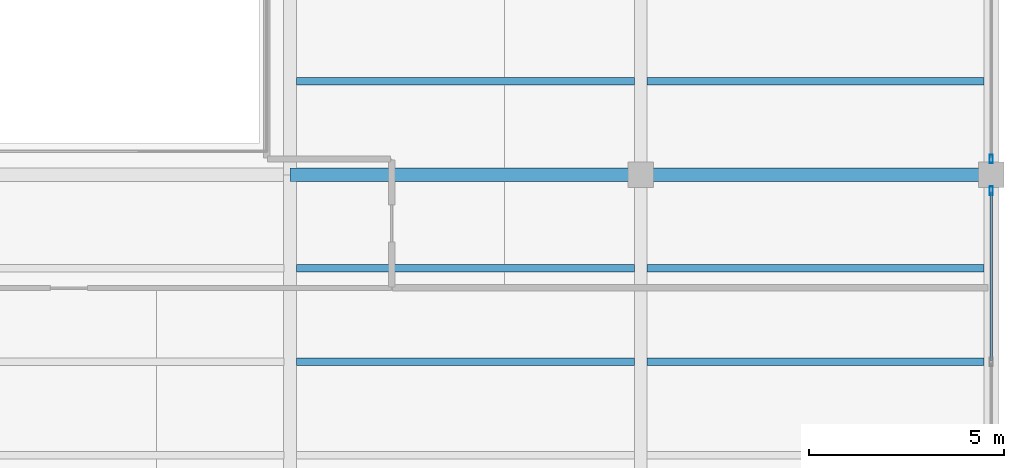
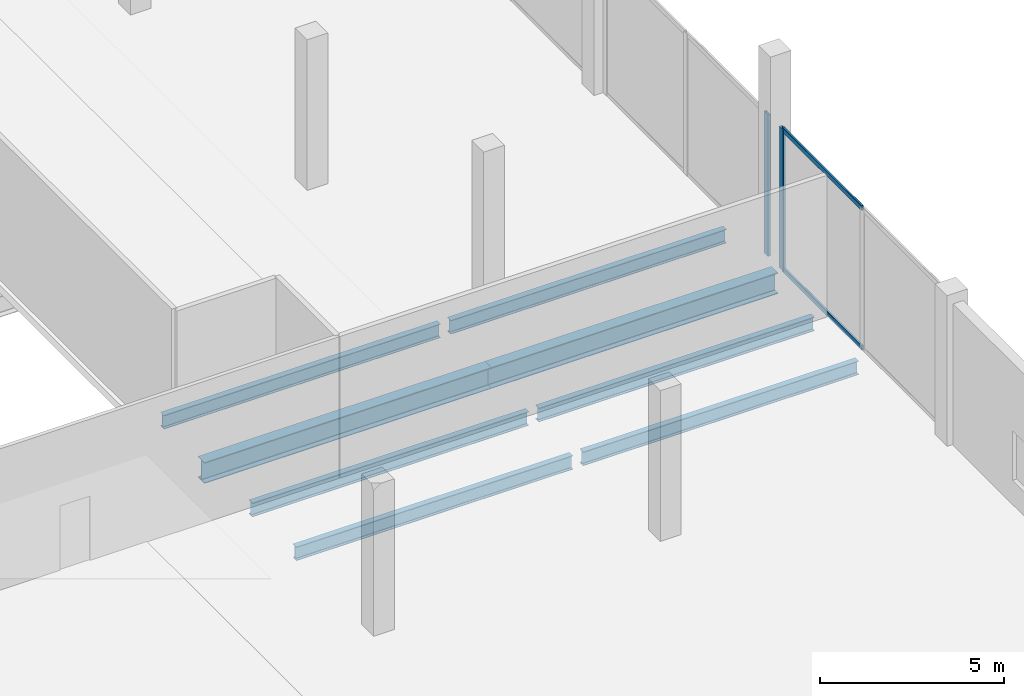
# One storey, part 16 of 43: 8 beams, 4 members, 2 elements without a shape of their own.
"""IFC4 building model written with IfcOpenShell, lengths in metres."""

from ifc_helpers import new_model, si_unit, direction, frame, origin, origin_2d, place, context, subcontext, project, spatial, hollow_rectangle, i_section, extrude, material, layer, layer_set, material_profile, profile_set, type_object, element, aggregate, save


model = new_model("IFC4")

# Units and contexts
model_context = context("Model", 3, precision=1e-05, world=origin(), true_north=direction((0.0, 1.0)))
body_context = subcontext(model_context, "Body", "Model", "MODEL_VIEW")
ifc_project = project(units=[si_unit("LENGTHUNIT", "METRE"), si_unit("AREAUNIT", "SQUARE_METRE"), si_unit("VOLUMEUNIT", "CUBIC_METRE"), si_unit("PLANEANGLEUNIT", "RADIAN"), si_unit("MASSUNIT", "GRAM", prefix="KILO")], contexts=[model_context])

# Site, building, storey
site_placement = place(None, origin())
site = spatial("IfcSite", under=ifc_project, at=site_placement, CompositionType="ELEMENT")
building_placement = place(site_placement, origin())
building = spatial("IfcBuilding", under=site, at=building_placement, Name="Qorvath Tower", CompositionType="ELEMENT")
storey_placement = place(building_placement, frame((0.0, 0.0, 22.0)))
storey = spatial("IfcBuildingStorey", under=building, at=storey_placement, Name="L04", CompositionType="ELEMENT", Elevation=22.0)

# Beams
ifc_material_1 = material(Name="Steel ASTM A992 Grade 50", Category="steel")
ifc_material_profile_1 = material_profile(ifc_material_1, i_section(OverallWidth=0.35595703125, OverallDepth=0.696044921875, WebThickness=0.015380859375, FlangeThickness=0.02490234375, FilletRadius=0.01806640625, at=origin_2d()), Name="W27x146")
ifc_profile_set_1 = profile_set([ifc_material_profile_1], Name="Steel ASTM A992 Grade 50")
beam_type_1 = type_object("IfcBeamType", Name="BM-FG4", PredefinedType="BEAM", material=ifc_profile_set_1)
for number, where, z_axis, x_axis, name in (
    (1, (59.39990234375, -9.60009765625, -0.60791015625), (1.0, 0.0, 0.0), (0.0, 1.0, 0.0), "Library E-W Girder L04-4-4"),
    (2, (68.39990234375, -9.60009765625, -0.60791015625), (1.0, 0.0, 0.0), (0.0, 1.0, 0.0), "Library E-W Girder L04-4-5"),
):
    element("IfcBeam", number, at=place(storey_placement, frame(where, z_axis=z_axis, x_axis=x_axis)), inside=storey, type_object=beam_type_1, Name=name, PredefinedType="BEAM", context=body_context, shape_type="SweptSolid", body=[
        extrude(i_section(OverallWidth=0.35595703125, OverallDepth=0.696044921875, WebThickness=0.015380859375, FlangeThickness=0.02490234375, FilletRadius=0.01806640625, at=origin_2d()), origin(), (0.0, 0.0, 1.0), 9.0),
    ])
ifc_material_2 = material(Name="Steel ASTM A992 Grade 50", Category="steel")
ifc_material_profile_2 = material_profile(ifc_material_2, i_section(OverallWidth=0.18994140625, OverallDepth=0.45703125, WebThickness=0.009033203125, FlangeThickness=0.014404296875, FilletRadius=0.011962890625, at=origin_2d()), Name="W18x50")
ifc_profile_set_2 = profile_set([ifc_material_profile_2], Name="Steel ASTM A992 Grade 50")
beam_type_2 = type_object("IfcBeamType", Name="BM-FJ2", PredefinedType="JOIST", material=ifc_profile_set_2)
beam_1_placement = place(storey_placement, frame((59.560546875, -14.39990234375, -0.488525390625), z_axis=(1.0, 0.0, 0.0), x_axis=(0.0, 1.0, 0.0)))
element("IfcBeam", 3, at=beam_1_placement, inside=storey, type_object=beam_type_2, Name="Library Stack Joist L04-3.2-4", PredefinedType="JOIST", context=body_context, shape_type="SweptSolid", body=[
    extrude(i_section(OverallWidth=0.18994140625, OverallDepth=0.45703125, WebThickness=0.009033203125, FlangeThickness=0.014404296875, FilletRadius=0.011962890625, at=origin_2d()), origin(), (0.0, 0.0, 1.0), 8.678955078125),
])
beam_2_placement = place(storey_placement, frame((68.560546875, -14.39990234375, -0.488525390625), z_axis=(1.0, 0.0, 0.0), x_axis=(0.0, 1.0, 0.0)))
element("IfcBeam", 4, at=beam_2_placement, inside=storey, type_object=beam_type_2, Name="Library Stack Joist L04-3.2-5", PredefinedType="JOIST", context=body_context, shape_type="SweptSolid", body=[
    extrude(i_section(OverallWidth=0.18994140625, OverallDepth=0.45703125, WebThickness=0.009033203125, FlangeThickness=0.014404296875, FilletRadius=0.011962890625, at=origin_2d()), origin(), (0.0, 0.0, 1.0), 8.65087890625),
])
beam_3_placement = place(storey_placement, frame((59.560546875, -12.0, -0.488525390625), z_axis=(1.0, 0.0, 0.0), x_axis=(0.0, 1.0, 0.0)))
element("IfcBeam", 5, at=beam_3_placement, inside=storey, type_object=beam_type_2, Name="Library Stack Joist L04-3.3-4", PredefinedType="JOIST", context=body_context, shape_type="SweptSolid", body=[
    extrude(i_section(OverallWidth=0.18994140625, OverallDepth=0.45703125, WebThickness=0.009033203125, FlangeThickness=0.014404296875, FilletRadius=0.011962890625, at=origin_2d()), origin(), (0.0, 0.0, 1.0), 8.678955078125),
])
beam_4_placement = place(storey_placement, frame((68.560546875, -12.0, -0.488525390625), z_axis=(1.0, 0.0, 0.0), x_axis=(0.0, 1.0, 0.0)))
element("IfcBeam", 6, at=beam_4_placement, inside=storey, type_object=beam_type_2, Name="Library Stack Joist L04-3.3-5", PredefinedType="JOIST", context=body_context, shape_type="SweptSolid", body=[
    extrude(i_section(OverallWidth=0.18994140625, OverallDepth=0.45703125, WebThickness=0.009033203125, FlangeThickness=0.014404296875, FilletRadius=0.011962890625, at=origin_2d()), origin(), (0.0, 0.0, 1.0), 8.65087890625),
])
beam_5_placement = place(storey_placement, frame((59.560546875, -7.199951171875, -0.488525390625), z_axis=(1.0, 0.0, 0.0), x_axis=(0.0, 1.0, 0.0)))
element("IfcBeam", 7, at=beam_5_placement, inside=storey, type_object=beam_type_2, Name="Library Stack Joist L04-4.1-4", PredefinedType="JOIST", context=body_context, shape_type="SweptSolid", body=[
    extrude(i_section(OverallWidth=0.18994140625, OverallDepth=0.45703125, WebThickness=0.009033203125, FlangeThickness=0.014404296875, FilletRadius=0.011962890625, at=origin_2d()), origin(), (0.0, 0.0, 1.0), 8.678955078125),
])
beam_6_placement = place(storey_placement, frame((68.560546875, -7.199951171875, -0.488525390625), z_axis=(1.0, 0.0, 0.0), x_axis=(0.0, 1.0, 0.0)))
element("IfcBeam", 8, at=beam_6_placement, inside=storey, type_object=beam_type_2, Name="Library Stack Joist L04-4.1-5", PredefinedType="JOIST", context=body_context, shape_type="SweptSolid", body=[
    extrude(i_section(OverallWidth=0.18994140625, OverallDepth=0.45703125, WebThickness=0.009033203125, FlangeThickness=0.014404296875, FilletRadius=0.011962890625, at=origin_2d()), origin(), (0.0, 0.0, 1.0), 8.65087890625),
])

# Curtain wall, member
ifc_material_3 = material(Name="Anodised aluminium and triple low-E glass", Category="aluminium")
ifc_layer = layer(ifc_material_3, 0.179931640625)
ifc_layer_set = layer_set([ifc_layer], Name="CW-SYS-6")
curtain_wall_type = type_object("IfcCurtainWallType", Name="CW-SYS-6", PredefinedType="NOTDEFINED", material=ifc_layer_set)
curtain_wall_1_placement = place(storey_placement, origin())
curtain_wall_1 = element("IfcCurtainWall", 9, at=curtain_wall_1_placement, inside=storey, type_object=curtain_wall_type, Name="Curtain Wall CW-6 CW-LIB-E-L04-3", PredefinedType="NOTDEFINED")
ifc_material_4 = material(Name="Anodised aluminium 6063-T6", Category="aluminium")
ifc_material_profile_3 = material_profile(ifc_material_4, hollow_rectangle(XDim=0.080078125, YDim=0.219970703125, WallThickness=0.00439453125, InnerFilletRadius=0.00439453125, OuterFilletRadius=0.009033203125, at=origin_2d()), Name="CWM LIB 220x80")
ifc_profile_set_3 = profile_set([ifc_material_profile_3], Name="Anodised aluminium 6063-T6")
member_type_1 = type_object("IfcMemberType", Name="CWM-LIB", PredefinedType="MULLION", material=ifc_profile_set_3)
member_1_placement = place(storey_placement, frame((77.39990234375, -10.010009765625, 0.0), z_axis=(0.0, 0.0, 1.0), x_axis=(-1.0, 0.0, 0.0)))
member_1 = element("IfcMember", 10, at=member_1_placement, type_object=member_type_1, Name="CW-6 mullion 3", PredefinedType="MULLION", context=body_context, shape_type="SweptSolid", body=[
    extrude(hollow_rectangle(XDim=0.080078125, YDim=0.219970703125, WallThickness=0.00439453125, InnerFilletRadius=0.00439453125, OuterFilletRadius=0.009033203125, at=origin_2d()), origin(), (0.0, 0.0, 1.0), 4.699951171875),
])

curtain_wall_2_placement = place(storey_placement, origin())
curtain_wall_2 = element("IfcCurtainWall", 11, at=curtain_wall_2_placement, inside=storey, type_object=curtain_wall_type, Name="Curtain Wall CW-6 CW-LIB-E-L04-4", PredefinedType="NOTDEFINED")
member_2_placement = place(storey_placement, frame((77.39990234375, -9.18994140625, 0.0), z_axis=(0.0, 0.0, 1.0), x_axis=(-1.0, 0.0, 0.0)))
member_2 = element("IfcMember", 12, at=member_2_placement, type_object=member_type_1, Name="CW-6 mullion 1", PredefinedType="MULLION", context=body_context, shape_type="SweptSolid", body=[
    extrude(hollow_rectangle(XDim=0.080078125, YDim=0.219970703125, WallThickness=0.00439453125, InnerFilletRadius=0.00439453125, OuterFilletRadius=0.009033203125, at=origin_2d()), origin(), (0.0, 0.0, 1.0), 4.699951171875),
])
aggregate(curtain_wall_2, [member_2])

# Member
ifc_material_5 = material(Name="Anodised aluminium 6063-T6", Category="aluminium")
ifc_material_profile_4 = material_profile(ifc_material_5, hollow_rectangle(XDim=0.06494140625, YDim=0.159912109375, WallThickness=0.00341796875, InnerFilletRadius=0.00341796875, OuterFilletRadius=0.007080078125, at=origin_2d()), Name="CWT 160x65")
ifc_profile_set_4 = profile_set([ifc_material_profile_4], Name="Anodised aluminium 6063-T6")
member_type_2 = type_object("IfcMemberType", Name="CWT-160", PredefinedType="USERDEFINED", material=ifc_profile_set_4)
member_3_placement = place(storey_placement, frame((77.39990234375, -14.360107421875, 0.032470703125), z_axis=(0.0, 1.0, 0.0), x_axis=(-1.0, 0.0, 0.0)))
member_3 = element("IfcMember", 13, at=member_3_placement, type_object=member_type_2, Name="CW-6 transom 2.1", ObjectType="TRANSOM", PredefinedType="USERDEFINED", context=body_context, shape_type="SweptSolid", body=[
    extrude(hollow_rectangle(XDim=0.06494140625, YDim=0.159912109375, WallThickness=0.00341796875, InnerFilletRadius=0.00341796875, OuterFilletRadius=0.007080078125, at=origin_2d()), origin(), (0.0, 0.0, 1.0), 4.31005859375),
])

member_4_placement = place(storey_placement, frame((77.39990234375, -14.360107421875, 4.66748046875), z_axis=(0.0, 1.0, 0.0), x_axis=(-1.0, 0.0, 0.0)))
member_4 = element("IfcMember", 14, at=member_4_placement, type_object=member_type_2, Name="CW-6 transom 2.2", ObjectType="TRANSOM", PredefinedType="USERDEFINED", context=body_context, shape_type="SweptSolid", body=[
    extrude(hollow_rectangle(XDim=0.06494140625, YDim=0.159912109375, WallThickness=0.00341796875, InnerFilletRadius=0.00341796875, OuterFilletRadius=0.007080078125, at=origin_2d()), origin(), (0.0, 0.0, 1.0), 4.31005859375),
])

aggregate(curtain_wall_1, [member_1, member_3, member_4])

save(model, "model.ifc")
